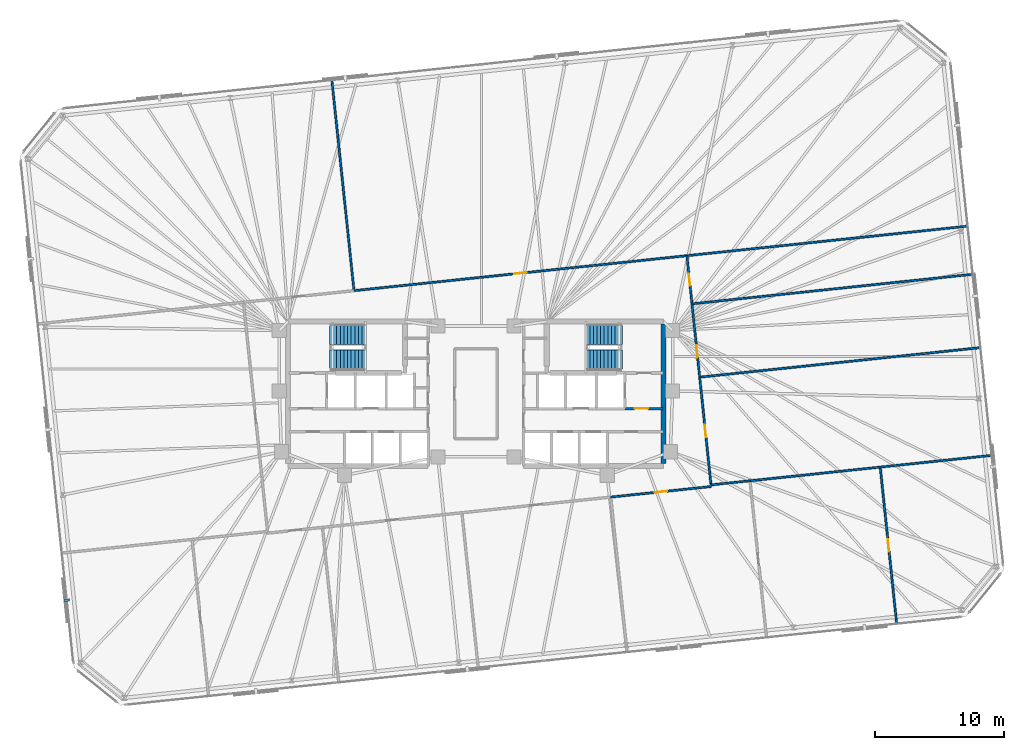
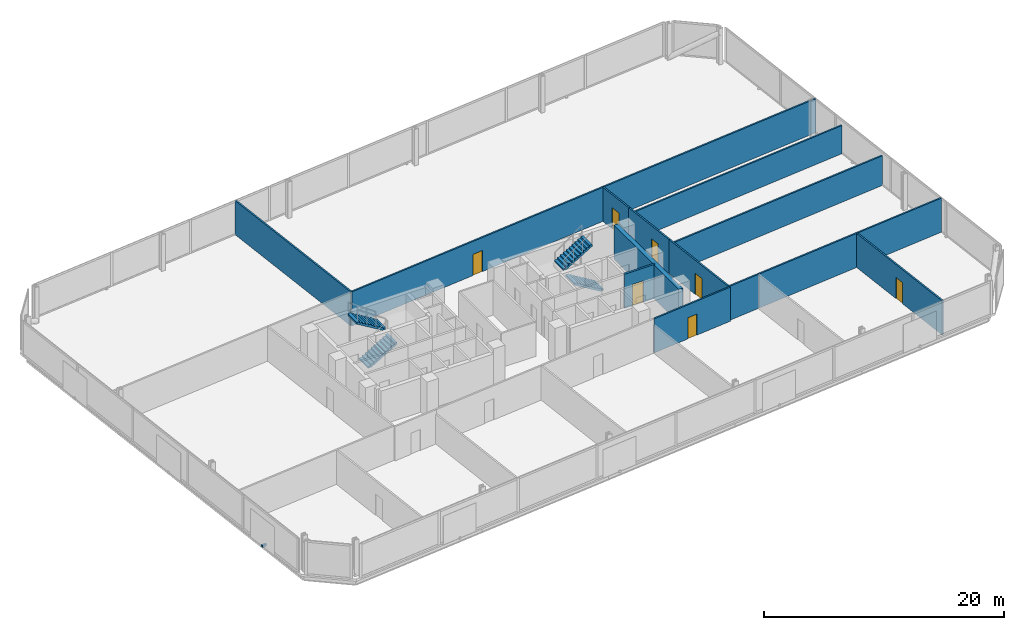
# One storey, part 16 of 18: 15 walls, 7 doors, 4 stair flights, 1 discrete accessory, 7 openings, 2 elements without a shape of their own.
"""IFC4 building model written with IfcOpenShell, lengths in metres."""

from ifc_helpers import new_model, si_unit, direction, frame, frame_2d, origin, origin_2d, place, context, subcontext, project, spatial, polyline, rectangle, outline, extrude, material, layer, layer_set, type_object, element, fill, aggregate, save


model = new_model("IFC4")

# Units and contexts
model_context = context("Model", 3, precision=1e-05, world=origin(), true_north=direction((0.0, 1.0)))
body_context = subcontext(model_context, "Body", "Model", "MODEL_VIEW")
ifc_project = project(units=[si_unit("LENGTHUNIT", "METRE"), si_unit("AREAUNIT", "SQUARE_METRE"), si_unit("VOLUMEUNIT", "CUBIC_METRE"), si_unit("PLANEANGLEUNIT", "RADIAN"), si_unit("MASSUNIT", "GRAM", prefix="KILO")], contexts=[model_context])

# Site, building, storey
site_placement = place(None, origin())
site = spatial("IfcSite", under=ifc_project, at=site_placement, CompositionType="ELEMENT")
building_placement = place(site_placement, origin())
building = spatial("IfcBuilding", under=site, at=building_placement, Name="Menara Jurai Vektor", CompositionType="ELEMENT")
storey_placement = place(building_placement, frame((0.0, 0.0, 102.199951171875)))
storey = spatial("IfcBuildingStorey", under=building, at=storey_placement, Name="L25", CompositionType="ELEMENT", Elevation=102.199951171875)

# Wall, opening, door
ifc_material_1 = material(Name="Concrete C40/50", Category="concrete")
ifc_layer_1 = layer(ifc_material_1, 0.25)
ifc_layer_set_1 = layer_set([ifc_layer_1], Name="Concrete C40/50")
wall_type_1 = type_object("IfcWallType", Name="INT-WALL-CORE-250", PredefinedType="STANDARD", material=ifc_layer_set_1)
wall_1_placement = place(storey_placement, frame((11.550048828125, -1.14990234375, 0.0), z_axis=(0.0, 0.0, 1.0), x_axis=(1.0, 0.0, 0.0)))
wall_1 = element("IfcWall", 1, at=wall_1_placement, inside=storey, type_object=wall_type_1, Name="Interior Wall IW-250 L25", PredefinedType="STANDARD", context=body_context, shape_type="SweptSolid", body=[
    extrude(rectangle(XDim=2.949951171875, YDim=0.199951171875, at=frame_2d((1.47509765625, 0.0))), origin(), (0.0, 0.0, 1.0), 3.47509765625),
])
opening_1_placement = place(wall_1_placement, frame((0.75, 0.0, 0.0)))
opening_1 = element("IfcOpeningElement", 2, at=opening_1_placement, cuts=wall_1, Name="Opening D-L25-FFE", PredefinedType="OPENING", context=body_context, shape_type="SweptSolid", body=[
    extrude(rectangle(XDim=1.050048828125, YDim=2.179931640625, at=frame_2d((0.52490234375, 1.08984375))), frame((0.0, 0.10986328125, 0.0), z_axis=(0.0, -1.0, 0.0), x_axis=(1.0, 0.0, 0.0)), (0.0, 0.0, 1.0), 0.219970703125),
])
ifc_material_2 = material(Name="Fire-Rated Timber Door", Category="wood")
door_type_1 = type_object("IfcDoorType", Name="DR-LOBBY-1050", OperationType="NOTDEFINED", PredefinedType="DOOR", material=ifc_material_2)
door_1_placement = place(opening_1_placement, origin())
door_1 = element("IfcDoor", 3, at=door_1_placement, inside=storey, type_object=door_type_1, Name="Fire Lift Lobby Door E L25", OperationType="SINGLE_SWING_LEFT", OverallHeight=2.179931640625, OverallWidth=1.050048828125, PredefinedType="DOOR", context=body_context, shape_type="SweptSolid", body=[
    extrude(rectangle(XDim=1.050048828125, YDim=2.179931640625, at=frame_2d((0.52490234375, 1.08984375))), frame((0.0, 0.02490234375, 0.0), z_axis=(0.0, -1.0, 0.0), x_axis=(1.0, 0.0, 0.0)), (0.0, 0.0, 1.0), 0.050048828125),
])
fill(opening_1, door_1)

ifc_material_3 = material(Name="Gypsum Fireboard Partition", Category="gypsum")
ifc_layer_2 = layer(ifc_material_3, 0.14990234375)
ifc_layer_set_2 = layer_set([ifc_layer_2], Name="Gypsum Fireboard Partition")
wall_type_2 = type_object("IfcWallType", Name="INT-WALL-CORR-150", PredefinedType="PARTITIONING", material=ifc_layer_set_2)
wall_2_placement = place(storey_placement, frame((-9.451416015625, 7.990966796875, 0.0), z_axis=(0.0, 0.0, 1.0), x_axis=(0.994522292848, 0.104524681431, 0.0)))
wall_2 = element("IfcWall", 4, at=wall_2_placement, inside=storey, type_object=wall_type_2, Name="Interior Wall IW-150 L25", PredefinedType="PARTITIONING", context=body_context, shape_type="SweptSolid", body=[
    extrude(rectangle(XDim=25.956787109375, YDim=0.14990234375, at=frame_2d((12.978515625, 0.0))), origin(), (0.0, 0.0, 1.0), 3.47509765625),
])
opening_2_placement = place(wall_2_placement, frame((12.50341796875, 0.0, 0.0)))
opening_2 = element("IfcOpeningElement", 5, at=opening_2_placement, cuts=wall_2, Name="Opening D25-10", PredefinedType="OPENING", context=body_context, shape_type="SweptSolid", body=[
    extrude(rectangle(XDim=0.949951171875, YDim=2.14990234375, at=frame_2d((0.47509765625, 1.074951171875))), frame((0.0, 0.0849609375, 0.0), z_axis=(0.0, -1.0, 0.0), x_axis=(1.0, 0.0, 0.0)), (0.0, 0.0, 1.0), 0.169921875),
])
ifc_material_4 = material(Name="Solid Core Timber Fire Door", Category="wood")
door_type_2 = type_object("IfcDoorType", Name="DR-ENTRY-950", OperationType="NOTDEFINED", PredefinedType="DOOR", material=ifc_material_4)
door_2_placement = place(opening_2_placement, origin())
door_2 = element("IfcDoor", 6, at=door_2_placement, inside=storey, type_object=door_type_2, Name="Interior Door D25-10", OperationType="SINGLE_SWING_LEFT", OverallHeight=2.14990234375, OverallWidth=0.949951171875, PredefinedType="DOOR", context=body_context, shape_type="SweptSolid", body=[
    extrude(rectangle(XDim=0.949951171875, YDim=2.14990234375, at=frame_2d((0.47509765625, 1.074951171875))), frame((0.0, 0.02490234375, 0.0), z_axis=(0.0, -1.0, 0.0), x_axis=(1.0, 0.0, 0.0)), (0.0, 0.0, 1.0), 0.050048828125),
])
fill(opening_2, door_2)

wall_3_placement = place(storey_placement, frame((10.45556640625, -8.013916015625, 0.0), z_axis=(0.0, 0.0, 1.0), x_axis=(0.994522690965, 0.104520893393, 0.0)))
wall_3 = element("IfcWall", 7, at=wall_3_placement, inside=storey, type_object=wall_type_2, Name="Interior Wall IW-150 L25", PredefinedType="PARTITIONING", context=body_context, shape_type="SweptSolid", body=[
    extrude(rectangle(XDim=7.83203125, YDim=0.14990234375, at=frame_2d((3.916015625, 0.0))), origin(), (0.0, 0.0, 1.0), 3.47509765625),
])
opening_3_placement = place(wall_3_placement, frame((3.44091796875, 0.0, 0.0)))
opening_3 = element("IfcOpeningElement", 8, at=opening_3_placement, cuts=wall_3, Name="Opening D25-14", PredefinedType="OPENING", context=body_context, shape_type="SweptSolid", body=[
    extrude(rectangle(XDim=0.949951171875, YDim=2.14990234375, at=frame_2d((0.47509765625, 1.074951171875))), frame((0.0, 0.0849609375, 0.0), z_axis=(0.0, -1.0, 0.0), x_axis=(1.0, 0.0, 0.0)), (0.0, 0.0, 1.0), 0.169921875),
])
door_3_placement = place(opening_3_placement, origin())
door_3 = element("IfcDoor", 9, at=door_3_placement, inside=storey, type_object=door_type_2, Name="Interior Door D25-14", OperationType="SINGLE_SWING_LEFT", OverallHeight=2.14990234375, OverallWidth=0.949951171875, PredefinedType="DOOR", context=body_context, shape_type="SweptSolid", body=[
    extrude(rectangle(XDim=0.949951171875, YDim=2.14990234375, at=frame_2d((0.47509765625, 1.074951171875))), frame((0.0, 0.02490234375, 0.0), z_axis=(0.0, -1.0, 0.0), x_axis=(1.0, 0.0, 0.0)), (0.0, 0.0, 1.0), 0.050048828125),
])
fill(opening_3, door_3)

wall_4_placement = place(storey_placement, frame((18.231201171875, -7.06787109375, 0.0), z_axis=(0.0, 0.0, 1.0), x_axis=(-0.104527419485, 0.994522005074, 0.0)))
wall_4 = element("IfcWall", 10, at=wall_4_placement, inside=storey, type_object=wall_type_2, Name="Interior Wall IW-150 L25", PredefinedType="PARTITIONING", context=body_context, shape_type="SweptSolid", body=[
    extrude(rectangle(XDim=8.39892578125, YDim=0.14990234375, at=frame_2d((4.199462890625, 0.0))), origin(), (0.0, 0.0, 1.0), 3.47509765625),
])
opening_4_placement = place(wall_4_placement, frame((3.724609375, 0.0, 0.0)))
opening_4 = element("IfcOpeningElement", 11, at=opening_4_placement, cuts=wall_4, Name="Opening D25-16", PredefinedType="OPENING", context=body_context, shape_type="SweptSolid", body=[
    extrude(rectangle(XDim=0.949951171875, YDim=2.14990234375, at=frame_2d((0.47509765625, 1.074951171875))), frame((0.0, 0.0849609375, 0.0), z_axis=(0.0, -1.0, 0.0), x_axis=(1.0, 0.0, 0.0)), (0.0, 0.0, 1.0), 0.169921875),
])
door_4_placement = place(opening_4_placement, origin())
door_4 = element("IfcDoor", 12, at=door_4_placement, inside=storey, type_object=door_type_2, Name="Interior Door D25-16", OperationType="SINGLE_SWING_LEFT", OverallHeight=2.14990234375, OverallWidth=0.949951171875, PredefinedType="DOOR", context=body_context, shape_type="SweptSolid", body=[
    extrude(rectangle(XDim=0.949951171875, YDim=2.14990234375, at=frame_2d((0.47509765625, 1.074951171875))), frame((0.0, 0.02490234375, 0.0), z_axis=(0.0, -1.0, 0.0), x_axis=(1.0, 0.0, 0.0)), (0.0, 0.0, 1.0), 0.050048828125),
])
fill(opening_4, door_4)

wall_5_placement = place(storey_placement, frame((17.353271484375, 1.28515625, 0.0), z_axis=(0.0, 0.0, 1.0), x_axis=(-0.104524753323, 0.994522285292, 0.0)))
wall_5 = element("IfcWall", 13, at=wall_5_placement, inside=storey, type_object=wall_type_2, Name="Interior Wall IW-150 L25", PredefinedType="PARTITIONING", context=body_context, shape_type="SweptSolid", body=[
    extrude(rectangle(XDim=5.7177734375, YDim=0.14990234375, at=frame_2d((2.85888671875, 0.0))), origin(), (0.0, 0.0, 1.0), 3.47509765625),
])
opening_5_placement = place(wall_5_placement, frame((1.5263671875, 0.0, 0.0)))
opening_5 = element("IfcOpeningElement", 14, at=opening_5_placement, cuts=wall_5, Name="Opening D25-17", PredefinedType="OPENING", context=body_context, shape_type="SweptSolid", body=[
    extrude(rectangle(XDim=0.949951171875, YDim=2.14990234375, at=frame_2d((0.47509765625, 1.074951171875))), frame((0.0, 0.0849609375, 0.0), z_axis=(0.0, -1.0, 0.0), x_axis=(1.0, 0.0, 0.0)), (0.0, 0.0, 1.0), 0.169921875),
])
door_5_placement = place(opening_5_placement, origin())
door_5 = element("IfcDoor", 15, at=door_5_placement, inside=storey, type_object=door_type_2, Name="Interior Door D25-17", OperationType="SINGLE_SWING_RIGHT", OverallHeight=2.14990234375, OverallWidth=0.949951171875, PredefinedType="DOOR", context=body_context, shape_type="SweptSolid", body=[
    extrude(rectangle(XDim=0.949951171875, YDim=2.14990234375, at=frame_2d((0.47509765625, 1.074951171875))), frame((0.0, 0.02490234375, 0.0), z_axis=(0.0, -1.0, 0.0), x_axis=(1.0, 0.0, 0.0)), (0.0, 0.0, 1.0), 0.050048828125),
])
fill(opening_5, door_5)

wall_6_placement = place(storey_placement, frame((16.755615234375, 6.9716796875, 0.0), z_axis=(0.0, 0.0, 1.0), x_axis=(-0.104539173002, 0.994520769671, 0.0)))
wall_6 = element("IfcWall", 16, at=wall_6_placement, inside=storey, type_object=wall_type_2, Name="Interior Wall IW-150 L25", PredefinedType="PARTITIONING", context=body_context, shape_type="SweptSolid", body=[
    extrude(rectangle(XDim=3.7529296875, YDim=0.14990234375, at=frame_2d((1.87646484375, 0.0))), origin(), (0.0, 0.0, 1.0), 3.47509765625),
])
opening_6_placement = place(wall_6_placement, frame((1.401611328125, 0.0, 0.0)))
opening_6 = element("IfcOpeningElement", 17, at=opening_6_placement, cuts=wall_6, Name="Opening D25-18", PredefinedType="OPENING", context=body_context, shape_type="SweptSolid", body=[
    extrude(rectangle(XDim=0.949951171875, YDim=2.14990234375, at=frame_2d((0.47509765625, 1.074951171875))), frame((0.0, 0.0849609375, 0.0), z_axis=(0.0, -1.0, 0.0), x_axis=(1.0, 0.0, 0.0)), (0.0, 0.0, 1.0), 0.169921875),
])
door_6_placement = place(opening_6_placement, origin())
door_6 = element("IfcDoor", 18, at=door_6_placement, inside=storey, type_object=door_type_2, Name="Interior Door D25-18", OperationType="SINGLE_SWING_LEFT", OverallHeight=2.14990234375, OverallWidth=0.949951171875, PredefinedType="DOOR", context=body_context, shape_type="SweptSolid", body=[
    extrude(rectangle(XDim=0.949951171875, YDim=2.14990234375, at=frame_2d((0.47509765625, 1.074951171875))), frame((0.0, 0.02490234375, 0.0), z_axis=(0.0, -1.0, 0.0), x_axis=(1.0, 0.0, 0.0)), (0.0, 0.0, 1.0), 0.050048828125),
])
fill(opening_6, door_6)

# Walls
wall_7_placement = place(storey_placement, frame((-9.451416015625, 7.990966796875, 0.0), z_axis=(0.0, 0.0, 1.0), x_axis=(-0.104536080245, 0.994521094762, 0.0)))
element("IfcWall", 19, at=wall_7_placement, inside=storey, type_object=wall_type_2, Name="Interior Wall IW-150 L25", PredefinedType="PARTITIONING", context=body_context, shape_type="SweptSolid", body=[
    extrude(rectangle(XDim=16.408935546875, YDim=0.14990234375, at=frame_2d((8.20458984375, 0.0))), origin(), (0.0, 0.0, 1.0), 3.47509765625),
])
wall_8_placement = place(storey_placement, frame((16.36328125, 10.7041015625, 0.0), z_axis=(0.0, 0.0, 1.0), x_axis=(0.994521206634, 0.104535015934, 0.0)))
element("IfcWall", 20, at=wall_8_placement, inside=storey, type_object=wall_type_2, Name="Interior Wall IW-150 L25", PredefinedType="PARTITIONING", context=body_context, shape_type="SweptSolid", body=[
    extrude(rectangle(XDim=21.892822265625, YDim=0.14990234375, at=frame_2d((10.9462890625, 0.0))), origin(), (0.0, 0.0, 1.0), 3.47509765625),
])
wall_9_placement = place(storey_placement, frame((18.231201171875, -7.06787109375, 0.0), z_axis=(0.0, 0.0, 1.0), x_axis=(0.994520828596, 0.104538612428, 0.0)))
element("IfcWall", 21, at=wall_9_placement, inside=storey, type_object=wall_type_2, Name="Interior Wall IW-150 L25", PredefinedType="PARTITIONING", context=body_context, shape_type="SweptSolid", body=[
    extrude(rectangle(XDim=3.04296875, YDim=0.14990234375, at=frame_2d((1.521484375, 0.0))), origin(), (0.0, 0.0, 1.0), 3.47509765625),
])

# Wall, opening, door
wall_10_placement = place(storey_placement, frame((32.62939453125, -17.843017578125, 0.0), z_axis=(0.0, 0.0, 1.0), x_axis=(-0.104538159751, 0.994520876179, 0.0)))
wall_10 = element("IfcWall", 22, at=wall_10_placement, inside=storey, type_object=wall_type_2, Name="Interior Wall IW-150 L25", PredefinedType="PARTITIONING", context=body_context, shape_type="SweptSolid", body=[
    extrude(rectangle(XDim=12.22119140625, YDim=0.14990234375, at=frame_2d((6.110595703125, 0.0))), origin(), (0.0, 0.0, 1.0), 3.47509765625),
])
opening_7_placement = place(wall_10_placement, frame((5.635498046875, 0.0, 0.0)))
opening_7 = element("IfcOpeningElement", 23, at=opening_7_placement, cuts=wall_10, Name="Opening D25-21", PredefinedType="OPENING", context=body_context, shape_type="SweptSolid", body=[
    extrude(rectangle(XDim=0.949951171875, YDim=2.14990234375, at=frame_2d((0.47509765625, 1.074951171875))), frame((0.0, 0.0849609375, 0.0), z_axis=(0.0, -1.0, 0.0), x_axis=(1.0, 0.0, 0.0)), (0.0, 0.0, 1.0), 0.169921875),
])
door_7_placement = place(opening_7_placement, origin())
door_7 = element("IfcDoor", 24, at=door_7_placement, inside=storey, type_object=door_type_2, Name="Interior Door D25-21", OperationType="SINGLE_SWING_RIGHT", OverallHeight=2.14990234375, OverallWidth=0.949951171875, PredefinedType="DOOR", context=body_context, shape_type="SweptSolid", body=[
    extrude(rectangle(XDim=0.949951171875, YDim=2.14990234375, at=frame_2d((0.47509765625, 1.074951171875))), frame((0.0, 0.02490234375, 0.0), z_axis=(0.0, -1.0, 0.0), x_axis=(1.0, 0.0, 0.0)), (0.0, 0.0, 1.0), 0.050048828125),
])
fill(opening_7, door_7)

# Walls
wall_11_placement = place(storey_placement, frame((21.257568359375, -6.749755859375, 0.0), z_axis=(0.0, 0.0, 1.0), x_axis=(0.994520994424, 0.104537034822, 0.0)))
element("IfcWall", 25, at=wall_11_placement, inside=storey, type_object=wall_type_2, Name="Interior Wall IW-150 L25", PredefinedType="PARTITIONING", context=body_context, shape_type="SweptSolid", body=[
    extrude(rectangle(XDim=10.14990234375, YDim=0.14990234375, at=frame_2d((5.074951171875, 0.0))), origin(), (0.0, 0.0, 1.0), 3.47509765625),
])
wall_12_placement = place(storey_placement, frame((31.351806640625, -5.688720703125, 0.0), z_axis=(0.0, 0.0, 1.0), x_axis=(0.994521893041, 0.104528485415, 0.0)))
element("IfcWall", 26, at=wall_12_placement, inside=storey, type_object=wall_type_2, Name="Interior Wall IW-150 L25", PredefinedType="PARTITIONING", context=body_context, shape_type="SweptSolid", body=[
    extrude(rectangle(XDim=8.7001953125, YDim=0.14990234375, at=frame_2d((4.35009765625, 0.0))), origin(), (0.0, 0.0, 1.0), 3.47509765625),
])
ifc_layer_3 = layer(ifc_material_3, 0.14990234375)
ifc_layer_set_3 = layer_set([ifc_layer_3], Name="Gypsum Fireboard Partition")
wall_type_3 = type_object("IfcWallType", Name="INT-WALL-CORR-150-H1", PredefinedType="PARTITIONING", material=ifc_layer_set_3)
wall_13_placement = place(storey_placement, frame((17.353271484375, 1.28515625, 0.0), z_axis=(0.0, 0.0, 1.0), x_axis=(0.994522365919, 0.104523986183, 0.0)))
element("IfcWall", 27, at=wall_13_placement, inside=storey, type_object=wall_type_3, Name="Interior Wall IW-150 L25", PredefinedType="PARTITIONING", context=body_context, shape_type="SweptSolid", body=[
    extrude(rectangle(XDim=21.892822265625, YDim=0.14990234375, at=frame_2d((10.9462890625, 0.0))), origin(), (0.0, 0.0, 1.0), 3.025146484375),
])
ifc_layer_4 = layer(ifc_material_3, 0.14990234375)
ifc_layer_set_4 = layer_set([ifc_layer_4], Name="Gypsum Fireboard Partition")
wall_type_4 = type_object("IfcWallType", Name="INT-WALL-CORR-150-H2", PredefinedType="PARTITIONING", material=ifc_layer_set_4)
wall_14_placement = place(storey_placement, frame((16.755615234375, 6.9716796875, 0.0), z_axis=(0.0, 0.0, 1.0), x_axis=(0.994521206634, 0.104535015934, 0.0)))
element("IfcWall", 28, at=wall_14_placement, inside=storey, type_object=wall_type_4, Name="Interior Wall IW-150 L25", PredefinedType="PARTITIONING", context=body_context, shape_type="SweptSolid", body=[
    extrude(rectangle(XDim=21.892822265625, YDim=0.14990234375, at=frame_2d((10.9462890625, 0.0))), origin(), (0.0, 0.0, 1.0), 2.875),
])
ifc_material_5 = material(Name="Concrete C50/60", Category="concrete")
ifc_layer_5 = layer(ifc_material_5, 0.39990234375)
ifc_layer_set_5 = layer_set([ifc_layer_5], Name="Concrete C50/60")
wall_type_5 = type_object("IfcWallType", Name="STR-WALL-CORE400", PredefinedType="SHEAR", material=ifc_layer_set_5)
wall_15_placement = place(storey_placement, frame((14.56005859375, -5.39990234375, 0.0), z_axis=(0.0, 0.0, 1.0), x_axis=(0.0, 1.0, 0.0)))
element("IfcWall", 29, at=wall_15_placement, inside=storey, type_object=wall_type_5, Name="Core Shear Wall CW-E-E L25", PredefinedType="SHEAR", context=body_context, shape_type="SweptSolid", body=[
    extrude(rectangle(XDim=10.7998046875, YDim=0.39990234375, at=frame_2d((5.39990234375, 0.0))), origin(), (0.0, 0.0, 1.0), 3.47509765625),
])

# Stair, stair flights
stair_type = type_object("IfcStairType", Name="STAIR-DOGLEG-1500", PredefinedType="HALF_TURN_STAIR", material=ifc_material_1)
stair_1_placement = place(storey_placement, origin())
stair_1 = element("IfcStair", 30, at=stair_1_placement, inside=storey, type_object=stair_type, Name="Protected Exit Stair ST1 L25", PredefinedType="HALF_TURN_STAIR")
stair_flight_type = type_object("IfcStairFlightType", Name="STAIR-FLIGHT-1500", PredefinedType="STRAIGHT", material=ifc_material_1)
stair_flight_1_placement = place(storey_placement, frame((-11.35009765625, 2.64990234375, 0.0), z_axis=(0.0, 0.0, 1.0), x_axis=(1.0, 0.0, 0.0)))
stair_flight_1 = element("IfcStairFlight", 31, at=stair_flight_1_placement, type_object=stair_flight_type, Name="ST1 flight 1", NumberOfRisers=11, NumberOfTreads=10, PredefinedType="STRAIGHT", RiserHeight=0.168182, TreadLength=0.28, context=body_context, shape_type="SweptSolid", body=[
    extrude(outline(polyline([(0.0, 0.0), (0.0, 0.168212890625), (0.280029296875, 0.168212890625), (0.280029296875, 0.33642578125), (0.56005859375, 0.33642578125), (0.56005859375, 0.504638671875), (0.840087890625, 0.504638671875), (0.840087890625, 0.672607421875), (1.1201171875, 0.672607421875), (1.1201171875, 0.8408203125), (1.39990234375, 0.8408203125), (1.39990234375, 1.009033203125), (1.679931640625, 1.009033203125), (1.679931640625, 1.17724609375), (1.9599609375, 1.17724609375), (1.9599609375, 1.345458984375), (2.239990234375, 1.345458984375), (2.239990234375, 1.513671875), (2.52001953125, 1.513671875), (2.52001953125, 1.681884765625), (2.800048828125, 1.681884765625), (2.800048828125, 1.85009765625), (2.800048828125, 1.495361328125), (0.310546875, 0.0), (0.0, 0.0)])), frame((0.0, 0.75, 0.0), z_axis=(0.0, -1.0, 0.0), x_axis=(1.0, 0.0, 0.0)), (0.0, 0.0, 1.0), 1.5),
])
stair_flight_2_placement = place(storey_placement, frame((-8.550048828125, 4.550048828125, 1.85009765625), z_axis=(0.0, 0.0, 1.0), x_axis=(-1.0, 0.0, 0.0)))
stair_flight_2 = element("IfcStairFlight", 32, at=stair_flight_2_placement, type_object=stair_flight_type, Name="ST1 flight 2", NumberOfRisers=11, NumberOfTreads=10, PredefinedType="STRAIGHT", RiserHeight=0.168182, TreadLength=0.28, context=body_context, shape_type="SweptSolid", body=[
    extrude(outline(polyline([(0.0, 0.0), (0.0, 0.168212890625), (0.280029296875, 0.168212890625), (0.280029296875, 0.33642578125), (0.56005859375, 0.33642578125), (0.56005859375, 0.504638671875), (0.840087890625, 0.504638671875), (0.840087890625, 0.672607421875), (1.1201171875, 0.672607421875), (1.1201171875, 0.8408203125), (1.39990234375, 0.8408203125), (1.39990234375, 1.009033203125), (1.679931640625, 1.009033203125), (1.679931640625, 1.17724609375), (1.9599609375, 1.17724609375), (1.9599609375, 1.345458984375), (2.239990234375, 1.345458984375), (2.239990234375, 1.513671875), (2.52001953125, 1.513671875), (2.52001953125, 1.681884765625), (2.800048828125, 1.681884765625), (2.800048828125, 1.85009765625), (2.800048828125, 1.495361328125), (0.310546875, 0.0), (0.0, 0.0)])), frame((0.0, 0.75, 0.0), z_axis=(0.0, -1.0, 0.0), x_axis=(1.0, 0.0, 0.0)), (0.0, 0.0, 1.0), 1.5),
])
aggregate(stair_1, [stair_flight_1, stair_flight_2])

stair_2_placement = place(storey_placement, origin())
stair_2 = element("IfcStair", 33, at=stair_2_placement, inside=storey, type_object=stair_type, Name="Protected Exit Stair ST2 L25", PredefinedType="HALF_TURN_STAIR")
stair_flight_3_placement = place(storey_placement, frame((11.35009765625, 2.64990234375, 0.0), z_axis=(0.0, 0.0, 1.0), x_axis=(-1.0, 0.0, 0.0)))
stair_flight_3 = element("IfcStairFlight", 34, at=stair_flight_3_placement, type_object=stair_flight_type, Name="ST2 flight 1", NumberOfRisers=11, NumberOfTreads=10, PredefinedType="STRAIGHT", RiserHeight=0.168182, TreadLength=0.28, context=body_context, shape_type="SweptSolid", body=[
    extrude(outline(polyline([(0.0, 0.0), (0.0, 0.168212890625), (0.280029296875, 0.168212890625), (0.280029296875, 0.33642578125), (0.56005859375, 0.33642578125), (0.56005859375, 0.504638671875), (0.840087890625, 0.504638671875), (0.840087890625, 0.672607421875), (1.1201171875, 0.672607421875), (1.1201171875, 0.8408203125), (1.39990234375, 0.8408203125), (1.39990234375, 1.009033203125), (1.679931640625, 1.009033203125), (1.679931640625, 1.17724609375), (1.9599609375, 1.17724609375), (1.9599609375, 1.345458984375), (2.239990234375, 1.345458984375), (2.239990234375, 1.513671875), (2.52001953125, 1.513671875), (2.52001953125, 1.681884765625), (2.800048828125, 1.681884765625), (2.800048828125, 1.85009765625), (2.800048828125, 1.495361328125), (0.310546875, 0.0), (0.0, 0.0)])), frame((0.0, 0.75, 0.0), z_axis=(0.0, -1.0, 0.0), x_axis=(1.0, 0.0, 0.0)), (0.0, 0.0, 1.0), 1.5),
])
stair_flight_4_placement = place(storey_placement, frame((8.550048828125, 4.550048828125, 1.85009765625), z_axis=(0.0, 0.0, 1.0), x_axis=(1.0, 0.0, 0.0)))
stair_flight_4 = element("IfcStairFlight", 35, at=stair_flight_4_placement, type_object=stair_flight_type, Name="ST2 flight 2", NumberOfRisers=11, NumberOfTreads=10, PredefinedType="STRAIGHT", RiserHeight=0.168182, TreadLength=0.28, context=body_context, shape_type="SweptSolid", body=[
    extrude(outline(polyline([(0.0, 0.0), (0.0, 0.168212890625), (0.280029296875, 0.168212890625), (0.280029296875, 0.33642578125), (0.56005859375, 0.33642578125), (0.56005859375, 0.504638671875), (0.840087890625, 0.504638671875), (0.840087890625, 0.672607421875), (1.1201171875, 0.672607421875), (1.1201171875, 0.8408203125), (1.39990234375, 0.8408203125), (1.39990234375, 1.009033203125), (1.679931640625, 1.009033203125), (1.679931640625, 1.17724609375), (1.9599609375, 1.17724609375), (1.9599609375, 1.345458984375), (2.239990234375, 1.345458984375), (2.239990234375, 1.513671875), (2.52001953125, 1.513671875), (2.52001953125, 1.681884765625), (2.800048828125, 1.681884765625), (2.800048828125, 1.85009765625), (2.800048828125, 1.495361328125), (0.310546875, 0.0), (0.0, 0.0)])), frame((0.0, 0.75, 0.0), z_axis=(0.0, -1.0, 0.0), x_axis=(1.0, 0.0, 0.0)), (0.0, 0.0, 1.0), 1.5),
])
aggregate(stair_2, [stair_flight_3, stair_flight_4])

# Discrete accessory
ifc_material_6 = material(Name="Steel S355", Category="steel")
discrete_accessory_type = type_object("IfcDiscreteAccessoryType", Name="ENV-ACC-BRACKET", PredefinedType="BRACKET", material=ifc_material_6)
discrete_accessory_placement = place(storey_placement, frame((-31.72509765625, -16.006103515625, -0.1298828125), z_axis=(0.0, 0.0, 1.0), x_axis=(0.104528463268, -0.994521895368, 0.0)))
element("IfcDiscreteAccessory", 36, at=discrete_accessory_placement, inside=storey, type_object=discrete_accessory_type, Name="Solar Screen Stand-Off Bracket L25-S14", PredefinedType="BRACKET", context=body_context, shape_type="SweptSolid", body=[
    extrude(rectangle(XDim=0.179931640625, YDim=0.43994140625, at=origin_2d()), origin(), (0.0, 0.0, 1.0), 0.219970703125),
])

save(model, "model.ifc")
